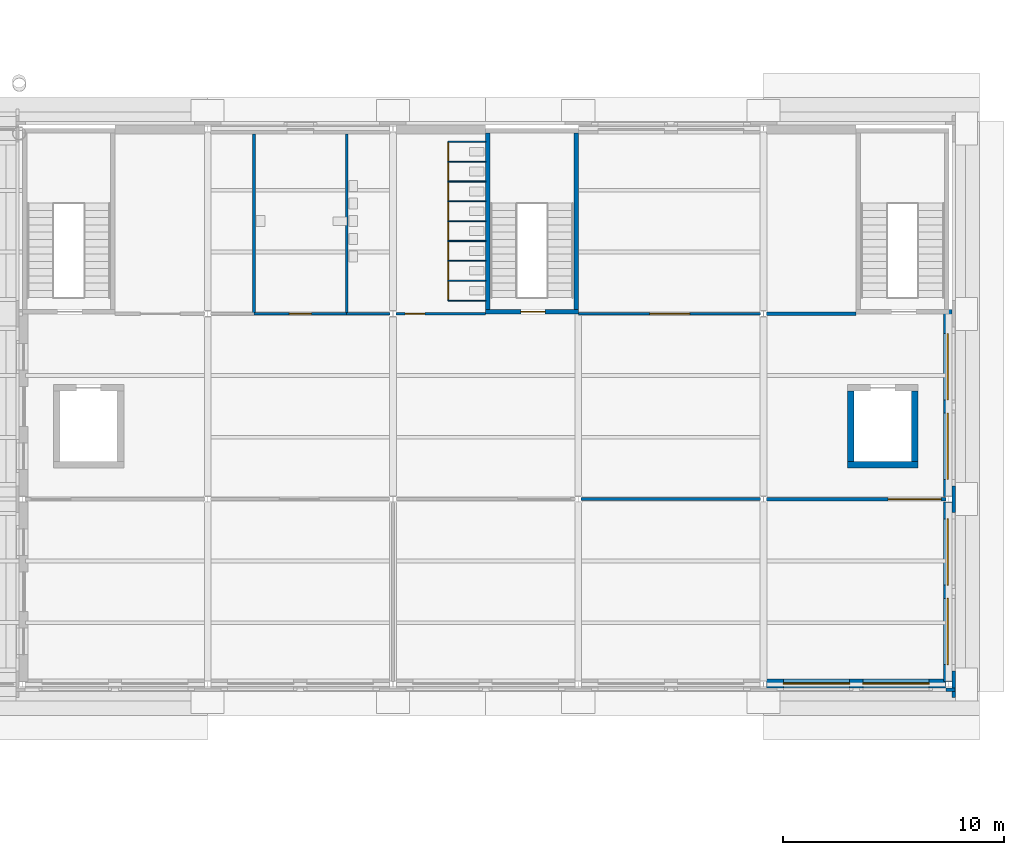
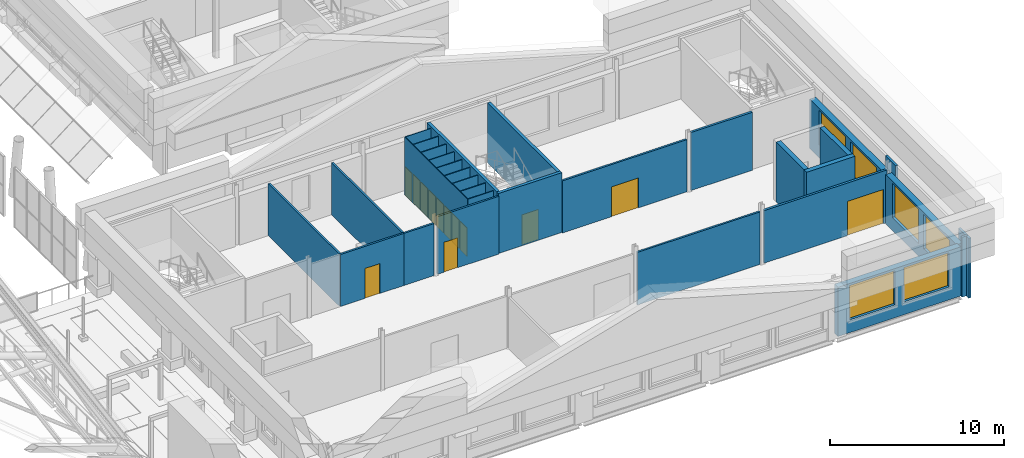
# One storey, part 44 of 76: 31 walls, 13 doors, 6 windows, 19 openings.
"""IFC4 building model written with IfcOpenShell, lengths in metres."""

from ifc_helpers import new_model, si_unit, direction, frame, frame_2d, origin, place, context, subcontext, project, spatial, rectangle, extrude, material, layer, layer_set, type_object, element, fill, save


model = new_model("IFC4")

# Units and contexts
model_context = context("Model", 3, precision=1e-05, world=origin(), true_north=direction((0.0, 1.0)))
body_context = subcontext(model_context, "Body", "Model", "MODEL_VIEW")
ifc_project = project(units=[si_unit("LENGTHUNIT", "METRE"), si_unit("AREAUNIT", "SQUARE_METRE"), si_unit("VOLUMEUNIT", "CUBIC_METRE"), si_unit("PLANEANGLEUNIT", "RADIAN"), si_unit("MASSUNIT", "GRAM", prefix="KILO")], contexts=[model_context])

# Site, building, storey
site_placement = place(None, origin())
site = spatial("IfcSite", under=ifc_project, at=site_placement, CompositionType="ELEMENT")
building_placement = place(site_placement, origin())
building = spatial("IfcBuilding", under=site, at=building_placement, Name="Sava Quay Ferry Terminal", CompositionType="ELEMENT")
storey_placement = place(building_placement, frame((0.0, 0.0, 10.800048828125)))
storey = spatial("IfcBuildingStorey", under=building, at=storey_placement, Name="L02", CompositionType="ELEMENT", Elevation=10.800048828125)

# Wall, openings, doors
ifc_material_1 = material(Name="High-pressure laminate panel")
ifc_layer_1 = layer(ifc_material_1, 0.050048828125)
ifc_layer_set_1 = layer_set([ifc_layer_1], Name="High-pressure laminate panel")
wall_type_1 = type_object("IfcWallType", Name="Cubicle partition 50", PredefinedType="PARTITIONING", material=ifc_layer_set_1)
wall_1_placement = place(storey_placement, frame((103.300048828125, 42.60009765625, 0.0), z_axis=(0.0, 0.0, 1.0), x_axis=(0.0, 1.0, 0.0)))
wall_1 = element("IfcWall", 1, at=wall_1_placement, inside=storey, type_object=wall_type_1, Name="Cubicle partition panel", PredefinedType="PARTITIONING", context=body_context, shape_type="SweptSolid", body=[
    extrude(rectangle(XDim=7.199951171875, YDim=0.050048828125, at=frame_2d((3.60009765625, 0.0))), origin(), (0.0, 0.0, 1.0), 4.050048828125),
])
opening_1_placement = place(wall_1_placement, frame((0.050048828125, 0.0, 0.0)))
opening_1 = element("IfcOpeningElement", 2, at=opening_1_placement, cuts=wall_1, Name="Opening CD073", PredefinedType="OPENING", context=body_context, shape_type="SweptSolid", body=[
    extrude(rectangle(XDim=0.800048828125, YDim=2.0, at=frame_2d((0.39990234375, 1.0))), frame((0.0, 0.02490234375, 0.0), z_axis=(0.0, -1.0, 0.0), x_axis=(1.0, 0.0, 0.0)), (0.0, 0.0, 1.0), 0.050048828125),
])
opening_2_placement = place(wall_1_placement, frame((0.949951171875, 0.0, 0.0)))
opening_2 = element("IfcOpeningElement", 3, at=opening_2_placement, cuts=wall_1, Name="Opening CD074", PredefinedType="OPENING", context=body_context, shape_type="SweptSolid", body=[
    extrude(rectangle(XDim=0.800048828125, YDim=2.0, at=frame_2d((0.39990234375, 1.0))), frame((0.0, 0.02490234375, 0.0), z_axis=(0.0, -1.0, 0.0), x_axis=(1.0, 0.0, 0.0)), (0.0, 0.0, 1.0), 0.050048828125),
])
opening_3_placement = place(wall_1_placement, frame((1.85009765625, 0.0, 0.0)))
opening_3 = element("IfcOpeningElement", 4, at=opening_3_placement, cuts=wall_1, Name="Opening CD075", PredefinedType="OPENING", context=body_context, shape_type="SweptSolid", body=[
    extrude(rectangle(XDim=0.800048828125, YDim=2.0, at=frame_2d((0.39990234375, 1.0))), frame((0.0, 0.02490234375, 0.0), z_axis=(0.0, -1.0, 0.0), x_axis=(1.0, 0.0, 0.0)), (0.0, 0.0, 1.0), 0.050048828125),
])
opening_4_placement = place(wall_1_placement, frame((2.75, 0.0, 0.0)))
opening_4 = element("IfcOpeningElement", 5, at=opening_4_placement, cuts=wall_1, Name="Opening CD076", PredefinedType="OPENING", context=body_context, shape_type="SweptSolid", body=[
    extrude(rectangle(XDim=0.800048828125, YDim=2.0, at=frame_2d((0.39990234375, 1.0))), frame((0.0, 0.02490234375, 0.0), z_axis=(0.0, -1.0, 0.0), x_axis=(1.0, 0.0, 0.0)), (0.0, 0.0, 1.0), 0.050048828125),
])
opening_5_placement = place(wall_1_placement, frame((3.64990234375, 0.0, 0.0)))
opening_5 = element("IfcOpeningElement", 6, at=opening_5_placement, cuts=wall_1, Name="Opening CD077", PredefinedType="OPENING", context=body_context, shape_type="SweptSolid", body=[
    extrude(rectangle(XDim=0.800048828125, YDim=2.0, at=frame_2d((0.39990234375, 1.0))), frame((0.0, 0.02490234375, 0.0), z_axis=(0.0, -1.0, 0.0), x_axis=(1.0, 0.0, 0.0)), (0.0, 0.0, 1.0), 0.050048828125),
])
opening_6_placement = place(wall_1_placement, frame((4.550048828125, 0.0, 0.0)))
opening_6 = element("IfcOpeningElement", 7, at=opening_6_placement, cuts=wall_1, Name="Opening CD078", PredefinedType="OPENING", context=body_context, shape_type="SweptSolid", body=[
    extrude(rectangle(XDim=0.800048828125, YDim=2.0, at=frame_2d((0.39990234375, 1.0))), frame((0.0, 0.02490234375, 0.0), z_axis=(0.0, -1.0, 0.0), x_axis=(1.0, 0.0, 0.0)), (0.0, 0.0, 1.0), 0.050048828125),
])
opening_7_placement = place(wall_1_placement, frame((5.449951171875, 0.0, 0.0)))
opening_7 = element("IfcOpeningElement", 8, at=opening_7_placement, cuts=wall_1, Name="Opening CD079", PredefinedType="OPENING", context=body_context, shape_type="SweptSolid", body=[
    extrude(rectangle(XDim=0.800048828125, YDim=2.0, at=frame_2d((0.39990234375, 1.0))), frame((0.0, 0.02490234375, 0.0), z_axis=(0.0, -1.0, 0.0), x_axis=(1.0, 0.0, 0.0)), (0.0, 0.0, 1.0), 0.050048828125),
])
opening_8_placement = place(wall_1_placement, frame((6.35009765625, 0.0, 0.0)))
opening_8 = element("IfcOpeningElement", 9, at=opening_8_placement, cuts=wall_1, Name="Opening CD080", PredefinedType="OPENING", context=body_context, shape_type="SweptSolid", body=[
    extrude(rectangle(XDim=0.800048828125, YDim=2.0, at=frame_2d((0.39990234375, 1.0))), frame((0.0, 0.02490234375, 0.0), z_axis=(0.0, -1.0, 0.0), x_axis=(1.0, 0.0, 0.0)), (0.0, 0.0, 1.0), 0.050048828125),
])
ifc_material_2 = material(Name="Laminate door set")
door_type_1 = type_object("IfcDoorType", Name="Cubicle door 800 x 2000", OperationType="NOTDEFINED", PredefinedType="DOOR", material=ifc_material_2)
door_1_placement = place(opening_1_placement, origin())
door_1 = element("IfcDoor", 10, at=door_1_placement, inside=storey, type_object=door_type_1, Name="Cubicle door", OperationType="SINGLE_SWING_RIGHT", OverallHeight=2.0, OverallWidth=0.800048828125, PredefinedType="DOOR", context=body_context, shape_type="SweptSolid", body=[
    extrude(rectangle(XDim=0.800048828125, YDim=2.0, at=frame_2d((0.39990234375, 1.0))), frame((0.0, 0.02490234375, 0.0), z_axis=(0.0, -1.0, 0.0), x_axis=(1.0, 0.0, 0.0)), (0.0, 0.0, 1.0), 0.049560546875),
])
fill(opening_1, door_1)
door_2_placement = place(opening_2_placement, origin())
door_2 = element("IfcDoor", 11, at=door_2_placement, inside=storey, type_object=door_type_1, Name="Cubicle door", OperationType="SINGLE_SWING_LEFT", OverallHeight=2.0, OverallWidth=0.800048828125, PredefinedType="DOOR", context=body_context, shape_type="SweptSolid", body=[
    extrude(rectangle(XDim=0.800048828125, YDim=2.0, at=frame_2d((0.39990234375, 1.0))), frame((0.0, 0.02490234375, 0.0), z_axis=(0.0, -1.0, 0.0), x_axis=(1.0, 0.0, 0.0)), (0.0, 0.0, 1.0), 0.049560546875),
])
fill(opening_2, door_2)
door_3_placement = place(opening_3_placement, origin())
door_3 = element("IfcDoor", 12, at=door_3_placement, inside=storey, type_object=door_type_1, Name="Cubicle door", OperationType="SINGLE_SWING_RIGHT", OverallHeight=2.0, OverallWidth=0.800048828125, PredefinedType="DOOR", context=body_context, shape_type="SweptSolid", body=[
    extrude(rectangle(XDim=0.800048828125, YDim=2.0, at=frame_2d((0.39990234375, 1.0))), frame((0.0, 0.02490234375, 0.0), z_axis=(0.0, -1.0, 0.0), x_axis=(1.0, 0.0, 0.0)), (0.0, 0.0, 1.0), 0.049560546875),
])
fill(opening_3, door_3)
door_4_placement = place(opening_4_placement, origin())
door_4 = element("IfcDoor", 13, at=door_4_placement, inside=storey, type_object=door_type_1, Name="Cubicle door", OperationType="SINGLE_SWING_LEFT", OverallHeight=2.0, OverallWidth=0.800048828125, PredefinedType="DOOR", context=body_context, shape_type="SweptSolid", body=[
    extrude(rectangle(XDim=0.800048828125, YDim=2.0, at=frame_2d((0.39990234375, 1.0))), frame((0.0, 0.02490234375, 0.0), z_axis=(0.0, -1.0, 0.0), x_axis=(1.0, 0.0, 0.0)), (0.0, 0.0, 1.0), 0.049560546875),
])
fill(opening_4, door_4)
door_5_placement = place(opening_5_placement, origin())
door_5 = element("IfcDoor", 14, at=door_5_placement, inside=storey, type_object=door_type_1, Name="Cubicle door", OperationType="SINGLE_SWING_RIGHT", OverallHeight=2.0, OverallWidth=0.800048828125, PredefinedType="DOOR", context=body_context, shape_type="SweptSolid", body=[
    extrude(rectangle(XDim=0.800048828125, YDim=2.0, at=frame_2d((0.39990234375, 1.0))), frame((0.0, 0.02490234375, 0.0), z_axis=(0.0, -1.0, 0.0), x_axis=(1.0, 0.0, 0.0)), (0.0, 0.0, 1.0), 0.049560546875),
])
fill(opening_5, door_5)
door_6_placement = place(opening_6_placement, origin())
door_6 = element("IfcDoor", 15, at=door_6_placement, inside=storey, type_object=door_type_1, Name="Cubicle door", OperationType="SINGLE_SWING_LEFT", OverallHeight=2.0, OverallWidth=0.800048828125, PredefinedType="DOOR", context=body_context, shape_type="SweptSolid", body=[
    extrude(rectangle(XDim=0.800048828125, YDim=2.0, at=frame_2d((0.39990234375, 1.0))), frame((0.0, 0.02490234375, 0.0), z_axis=(0.0, -1.0, 0.0), x_axis=(1.0, 0.0, 0.0)), (0.0, 0.0, 1.0), 0.049560546875),
])
fill(opening_6, door_6)
door_7_placement = place(opening_7_placement, origin())
door_7 = element("IfcDoor", 16, at=door_7_placement, inside=storey, type_object=door_type_1, Name="Cubicle door", OperationType="SINGLE_SWING_RIGHT", OverallHeight=2.0, OverallWidth=0.800048828125, PredefinedType="DOOR", context=body_context, shape_type="SweptSolid", body=[
    extrude(rectangle(XDim=0.800048828125, YDim=2.0, at=frame_2d((0.39990234375, 1.0))), frame((0.0, 0.02490234375, 0.0), z_axis=(0.0, -1.0, 0.0), x_axis=(1.0, 0.0, 0.0)), (0.0, 0.0, 1.0), 0.049560546875),
])
fill(opening_7, door_7)
door_8_placement = place(opening_8_placement, origin())
door_8 = element("IfcDoor", 17, at=door_8_placement, inside=storey, type_object=door_type_1, Name="Cubicle door", OperationType="SINGLE_SWING_LEFT", OverallHeight=2.0, OverallWidth=0.800048828125, PredefinedType="DOOR", context=body_context, shape_type="SweptSolid", body=[
    extrude(rectangle(XDim=0.800048828125, YDim=2.0, at=frame_2d((0.39990234375, 1.0))), frame((0.0, 0.02490234375, 0.0), z_axis=(0.0, -1.0, 0.0), x_axis=(1.0, 0.0, 0.0)), (0.0, 0.0, 1.0), 0.049560546875),
])
fill(opening_8, door_8)

# Walls
for number, where, z_axis, x_axis, name in (
    (18, (105.0, 42.60009765625, 0.0), (0.0, 0.0, 1.0), (-1.0, 0.0, 0.0), "Cubicle partition panel"),
    (19, (105.0, 43.5, 0.0), (0.0, 0.0, 1.0), (-1.0, 0.0, 0.0), "Cubicle partition panel"),
    (20, (105.0, 44.39990234375, 0.0), (0.0, 0.0, 1.0), (-1.0, 0.0, 0.0), "Cubicle partition panel"),
    (21, (105.0, 45.300048828125, 0.0), (0.0, 0.0, 1.0), (-1.0, 0.0, 0.0), "Cubicle partition panel"),
    (22, (105.0, 46.199951171875, 0.0), (0.0, 0.0, 1.0), (-1.0, 0.0, 0.0), "Cubicle partition panel"),
    (23, (105.0, 47.10009765625, 0.0), (0.0, 0.0, 1.0), (-1.0, 0.0, 0.0), "Cubicle partition panel"),
    (24, (105.0, 48.0, 0.0), (0.0, 0.0, 1.0), (-1.0, 0.0, 0.0), "Cubicle partition panel"),
    (25, (105.0, 48.89990234375, 0.0), (0.0, 0.0, 1.0), (-1.0, 0.0, 0.0), "Cubicle partition panel"),
    (26, (105.0, 49.800048828125, 0.0), (0.0, 0.0, 1.0), (-1.0, 0.0, 0.0), "Cubicle partition panel"),
):
    element("IfcWall", number, at=place(storey_placement, frame(where, z_axis=z_axis, x_axis=x_axis)), inside=storey, type_object=wall_type_1, Name=name, PredefinedType="PARTITIONING", context=body_context, shape_type="SweptSolid", body=[
        extrude(rectangle(XDim=1.699951171875, YDim=0.050048828125, at=frame_2d((0.85009765625, 0.0))), origin(), (0.0, 0.0, 1.0), 4.050048828125),
    ])
ifc_material_3 = material(Name="Limestone Mutalj", Category="masonry")
ifc_layer_2 = layer(ifc_material_3, 0.14990234375)
ifc_layer_set_2 = layer_set([ifc_layer_2], Name="Limestone Mutalj")
wall_type_2 = type_object("IfcWallType", Name="Pier cladding 150", PredefinedType="SOLIDWALL", material=ifc_layer_set_2)
for number, where, z_axis, x_axis, name in (
    (27, (126.22509765625, 24.60009765625, 0.0), (0.0, 0.0, 1.0), (0.0, 1.0, 0.0), "Pier P-E grid 25.2"),
    (28, (126.22509765625, 33.0, 0.0), (0.0, 0.0, 1.0), (0.0, 1.0, 0.0), "Pier P-E grid 33.6"),
):
    element("IfcWall", number, at=place(storey_placement, frame(where, z_axis=z_axis, x_axis=x_axis)), inside=storey, type_object=wall_type_2, Name=name, PredefinedType="SOLIDWALL", context=body_context, shape_type="SweptSolid", body=[
        extrude(rectangle(XDim=1.199951171875, YDim=0.14990234375, at=frame_2d((0.60009765625, 0.0))), origin(), (0.0, 0.0, 1.0), 4.199951171875),
    ])
wall_2_placement = place(storey_placement, frame((125.8701171875, 24.965087890625, 0.0), z_axis=(0.0, 0.0, 1.0), x_axis=(1.0, 0.0, 0.0)))
element("IfcWall", 29, at=wall_2_placement, inside=storey, type_object=wall_type_2, Name="Pier P-S grid 126", PredefinedType="SOLIDWALL", context=body_context, shape_type="SweptSolid", body=[
    extrude(rectangle(XDim=0.409912109375, YDim=0.14990234375, at=frame_2d((0.205078125, 0.0))), origin(), (0.0, 0.0, 1.0), 4.199951171875),
])

# Wall, opening, door
ifc_material_4 = material(Name="Masonry blockwork", Category="masonry")
ifc_layer_3 = layer(ifc_material_4, 0.14990234375)
ifc_layer_set_3 = layer_set([ifc_layer_3], Name="Masonry blockwork")
wall_type_3 = type_object("IfcWallType", Name="Plant, store and lobby wall, blockwork 150", PredefinedType="PARTITIONING", material=ifc_layer_set_3)
wall_3_placement = place(storey_placement, frame((117.72998046875, 33.60009765625, 0.0), z_axis=(0.0, 0.0, 1.0), x_axis=(1.0, 0.0, 0.0)))
wall_3 = element("IfcWall", 30, at=wall_3_placement, inside=storey, type_object=wall_type_3, Name="Plant, store and lobby wall, blockwork 150", PredefinedType="PARTITIONING", context=body_context, shape_type="SweptSolid", body=[
    extrude(rectangle(XDim=8.14013671875, YDim=0.14990234375, at=frame_2d((4.070068359375, 0.0))), origin(), (0.0, 0.0, 1.0), 3.68994140625),
])
opening_9_placement = place(wall_3_placement, frame((5.52001953125, 0.0, 0.0)))
opening_9 = element("IfcOpeningElement", 31, at=opening_9_placement, cuts=wall_3, Name="Opening D0214", PredefinedType="OPENING", context=body_context, shape_type="SweptSolid", body=[
    extrude(rectangle(XDim=2.39990234375, YDim=2.39990234375, at=frame_2d((1.199951171875, 1.199951171875))), frame((0.0, 0.074951171875, 0.0), z_axis=(0.0, -1.0, 0.0), x_axis=(1.0, 0.0, 0.0)), (0.0, 0.0, 1.0), 0.14990234375),
])
ifc_material_5 = material(Name="Timber door set", Category="wood")
door_type_2 = type_object("IfcDoorType", Name="Double door 2400 x 2400", OperationType="NOTDEFINED", PredefinedType="DOOR", material=ifc_material_5)
door_9_placement = place(opening_9_placement, origin())
door_9 = element("IfcDoor", 32, at=door_9_placement, inside=storey, type_object=door_type_2, Name="Door D0214", OperationType="DOUBLE_DOOR_DOUBLE_SWING", OverallHeight=2.39990234375, OverallWidth=2.39990234375, PredefinedType="DOOR", context=body_context, shape_type="SweptSolid", body=[
    extrude(rectangle(XDim=2.39990234375, YDim=2.39990234375, at=frame_2d((1.199951171875, 1.199951171875))), frame((0.0, 0.02490234375, 0.0), z_axis=(0.0, -1.0, 0.0), x_axis=(1.0, 0.0, 0.0)), (0.0, 0.0, 1.0), 0.050048828125),
])
fill(opening_9, door_9)

# Wall
wall_4_placement = place(storey_placement, frame((117.72998046875, 42.0, 0.0), z_axis=(0.0, 0.0, 1.0), x_axis=(1.0, 0.0, 0.0)))
element("IfcWall", 33, at=wall_4_placement, inside=storey, type_object=wall_type_3, Name="Plant, store and lobby wall, blockwork 150", PredefinedType="PARTITIONING", context=body_context, shape_type="SweptSolid", body=[
    extrude(rectangle(XDim=4.070068359375, YDim=0.14990234375, at=frame_2d((2.03515625, 0.0))), origin(), (0.0, 0.0, 1.0), 4.070068359375),
])

# Wall, opening, door
ifc_material_6 = material(Name="Concrete C35/45", Category="concrete")
ifc_layer_4 = layer(ifc_material_6, 0.199951171875)
ifc_layer_set_4 = layer_set([ifc_layer_4], Name="Concrete C35/45")
wall_type_4 = type_object("IfcWallType", Name="RC core wall 200", PredefinedType="SHEAR", material=ifc_layer_set_4)
wall_5_placement = place(storey_placement, frame((105.0, 42.10009765625, 0.0), z_axis=(0.0, 0.0, 1.0), x_axis=(1.0, 0.0, 0.0)))
wall_5 = element("IfcWall", 34, at=wall_5_placement, inside=storey, type_object=wall_type_4, Name="Core wall ST-P3 S L02", PredefinedType="SHEAR", context=body_context, shape_type="SweptSolid", body=[
    extrude(rectangle(XDim=4.199951171875, YDim=0.199951171875, at=frame_2d((2.10009765625, 0.0))), origin(), (0.0, 0.0, 1.0), 4.199951171875),
])
opening_10_placement = place(wall_5_placement, frame((1.60009765625, 0.0, 0.0)))
opening_10 = element("IfcOpeningElement", 35, at=opening_10_placement, cuts=wall_5, Name="Opening DS0207", PredefinedType="OPENING", context=body_context, shape_type="SweptSolid", body=[
    extrude(rectangle(XDim=1.10009765625, YDim=2.10009765625, at=frame_2d((0.550048828125, 1.050048828125))), frame((0.0, 0.10009765625, 0.0), z_axis=(0.0, -1.0, 0.0), x_axis=(1.0, 0.0, 0.0)), (0.0, 0.0, 1.0), 0.199951171875),
])
ifc_material_7 = material(Name="Steel fire door set", Category="steel")
door_type_3 = type_object("IfcDoorType", Name="Stair fire door 1100 x 2100", OperationType="NOTDEFINED", PredefinedType="DOOR", material=ifc_material_7)
door_10_placement = place(opening_10_placement, origin())
door_10 = element("IfcDoor", 36, at=door_10_placement, inside=storey, type_object=door_type_3, Name="Door DS0207", OperationType="SINGLE_SWING_RIGHT", OverallHeight=2.10009765625, OverallWidth=1.10009765625, PredefinedType="DOOR", context=body_context, shape_type="SweptSolid", body=[
    extrude(rectangle(XDim=1.10009765625, YDim=2.10009765625, at=frame_2d((0.550048828125, 1.050048828125))), frame((0.0, 0.02490234375, 0.0), z_axis=(0.0, -1.0, 0.0), x_axis=(1.0, 0.0, 0.0)), (0.0, 0.0, 1.0), 0.050048828125),
])
fill(opening_10, door_10)

# Walls
for number, where, z_axis, x_axis, name in (
    (37, (105.10009765625, 42.199951171875, 0.0), (0.0, 0.0, 1.0), (0.0, 1.0, 0.0), "Core wall ST-P3 W L02"),
    (38, (109.10009765625, 42.199951171875, 0.0), (0.0, 0.0, 1.0), (0.0, 1.0, 0.0), "Core wall ST-P3 E L02"),
):
    element("IfcWall", number, at=place(storey_placement, frame(where, z_axis=z_axis, x_axis=x_axis)), inside=storey, type_object=wall_type_4, Name=name, PredefinedType="SHEAR", context=body_context, shape_type="SweptSolid", body=[
        extrude(rectangle(XDim=8.0, YDim=0.199951171875, at=frame_2d((4.0, 0.0))), origin(), (0.0, 0.0, 1.0), 4.199951171875),
    ])
ifc_material_8 = material(Name="Concrete C35/45", Category="concrete")
ifc_layer_5 = layer(ifc_material_8, 0.300048828125)
ifc_layer_set_5 = layer_set([ifc_layer_5], Name="Concrete C35/45")
wall_type_5 = type_object("IfcWallType", Name="RC core wall 300", PredefinedType="SHEAR", material=ifc_layer_set_5)
wall_6_placement = place(storey_placement, frame((121.39990234375, 35.14990234375, 0.0), z_axis=(0.0, 0.0, 1.0), x_axis=(1.0, 0.0, 0.0)))
element("IfcWall", 39, at=wall_6_placement, inside=storey, type_object=wall_type_5, Name="Core wall LF-P2 S L02", PredefinedType="SHEAR", context=body_context, shape_type="SweptSolid", body=[
    extrude(rectangle(XDim=3.2001953125, YDim=0.300048828125, at=frame_2d((1.60009765625, 0.0))), origin(), (0.0, 0.0, 1.0), 4.199951171875),
])
for number, where, z_axis, x_axis, name in (
    (40, (121.550048828125, 35.300048828125, 0.0), (0.0, 0.0, 1.0), (0.0, 1.0, 0.0), "Core wall LF-P2 W L02"),
    (41, (124.449951171875, 35.300048828125, 0.0), (0.0, 0.0, 1.0), (0.0, 1.0, 0.0), "Core wall LF-P2 E L02"),
):
    element("IfcWall", number, at=place(storey_placement, frame(where, z_axis=z_axis, x_axis=x_axis)), inside=storey, type_object=wall_type_5, Name=name, PredefinedType="SHEAR", context=body_context, shape_type="SweptSolid", body=[
        extrude(rectangle(XDim=3.199951171875, YDim=0.300048828125, at=frame_2d((1.60009765625, 0.0))), origin(), (0.0, 0.0, 1.0), 4.199951171875),
    ])
ifc_material_9 = material(Name="Plasterboard on steel studs", Category="steel")
ifc_layer_6 = layer(ifc_material_9, 0.125)
ifc_layer_set_6 = layer_set([ifc_layer_6], Name="Plasterboard on steel studs")
wall_type_6 = type_object("IfcWallType", Name="Room partition, plasterboard on steel studs 125", PredefinedType="PARTITIONING", material=ifc_layer_set_6)
wall_7_placement = place(storey_placement, frame((109.330078125, 33.60009765625, 0.0), z_axis=(0.0, 0.0, 1.0), x_axis=(1.0, 0.0, 0.0)))
element("IfcWall", 42, at=wall_7_placement, inside=storey, type_object=wall_type_6, Name="Room partition, plasterboard on steel studs 125", PredefinedType="PARTITIONING", context=body_context, shape_type="SweptSolid", body=[
    extrude(rectangle(XDim=8.139892578125, YDim=0.125, at=frame_2d((4.06982421875, 0.0))), origin(), (0.0, 0.0, 1.0), 3.68994140625),
])

# Wall, opening, door
wall_8_placement = place(storey_placement, frame((109.199951171875, 42.0, 0.0), z_axis=(0.0, 0.0, 1.0), x_axis=(1.0, 0.0, 0.0)))
wall_8 = element("IfcWall", 43, at=wall_8_placement, inside=storey, type_object=wall_type_6, Name="Room partition, plasterboard on steel studs 125", PredefinedType="PARTITIONING", context=body_context, shape_type="SweptSolid", body=[
    extrude(rectangle(XDim=8.27001953125, YDim=0.125, at=frame_2d((4.135009765625, 0.0))), origin(), (0.0, 0.0, 1.0), 3.659912109375),
])
opening_11_placement = place(wall_8_placement, frame((3.25, 0.0, 0.0)))
opening_11 = element("IfcOpeningElement", 44, at=opening_11_placement, cuts=wall_8, Name="Opening D0218", PredefinedType="OPENING", context=body_context, shape_type="SweptSolid", body=[
    extrude(rectangle(XDim=1.800048828125, YDim=2.10009765625, at=frame_2d((0.89990234375, 1.050048828125))), frame((0.0, 0.0625, 0.0), z_axis=(0.0, -1.0, 0.0), x_axis=(1.0, 0.0, 0.0)), (0.0, 0.0, 1.0), 0.125),
])
ifc_material_10 = material(Name="Timber door set", Category="wood")
door_type_4 = type_object("IfcDoorType", Name="Double door 1800 x 2100", OperationType="NOTDEFINED", PredefinedType="DOOR", material=ifc_material_10)
door_11_placement = place(opening_11_placement, origin())
door_11 = element("IfcDoor", 45, at=door_11_placement, inside=storey, type_object=door_type_4, Name="Door D0218", OperationType="DOUBLE_DOOR_DOUBLE_SWING", OverallHeight=2.10009765625, OverallWidth=1.800048828125, PredefinedType="DOOR", context=body_context, shape_type="SweptSolid", body=[
    extrude(rectangle(XDim=1.800048828125, YDim=2.10009765625, at=frame_2d((0.89990234375, 1.050048828125))), frame((0.0, 0.02490234375, 0.0), z_axis=(0.0, -1.0, 0.0), x_axis=(1.0, 0.0, 0.0)), (0.0, 0.0, 1.0), 0.050048828125),
])
fill(opening_11, door_11)

# Wall, openings, windows
ifc_material_11 = material(Name="Sandstone Bela Voda", Category="masonry")
ifc_layer_7 = layer(ifc_material_11, 0.39990234375)
ifc_layer_set_7 = layer_set([ifc_layer_7], Name="Sandstone Bela Voda")
wall_type_7 = type_object("IfcWallType", Name="Sandstone ashlar infill 400", PredefinedType="SOLIDWALL", material=ifc_layer_set_7)
wall_9_placement = place(storey_placement, frame((125.949951171875, 25.330078125, 0.0), z_axis=(0.0, 0.0, 1.0), x_axis=(0.0, 1.0, 0.0)))
wall_9 = element("IfcWall", 46, at=wall_9_placement, inside=storey, type_object=wall_type_7, Name="External wall P-E", PredefinedType="SOLIDWALL", context=body_context, shape_type="SweptSolid", body=[
    extrude(rectangle(XDim=8.139892578125, YDim=0.39990234375, at=frame_2d((4.06982421875, 0.0))), origin(), (0.0, 0.0, 1.0), 3.449951171875),
])
opening_12_placement = place(wall_9_placement, frame((0.77001953125, 0.0, 0.89990234375)))
opening_12 = element("IfcOpeningElement", 47, at=opening_12_placement, cuts=wall_9, Name="Opening W-C", PredefinedType="OPENING", context=body_context, shape_type="SweptSolid", body=[
    extrude(rectangle(XDim=3.0, YDim=2.39990234375, at=frame_2d((1.5, 1.199951171875))), frame((0.0, 0.199951171875, 0.0), z_axis=(0.0, -1.0, 0.0), x_axis=(1.0, 0.0, 0.0)), (0.0, 0.0, 1.0), 0.39990234375),
])
opening_13_placement = place(wall_9_placement, frame((4.3701171875, 0.0, 0.89990234375)))
opening_13 = element("IfcOpeningElement", 48, at=opening_13_placement, cuts=wall_9, Name="Opening W-C", PredefinedType="OPENING", context=body_context, shape_type="SweptSolid", body=[
    extrude(rectangle(XDim=3.0, YDim=2.39990234375, at=frame_2d((1.5, 1.199951171875))), frame((0.0, 0.199951171875, 0.0), z_axis=(0.0, -1.0, 0.0), x_axis=(1.0, 0.0, 0.0)), (0.0, 0.0, 1.0), 0.39990234375),
])
ifc_material_12 = material(Name="Aluminium bronze anodised frame, glazing double low-e Ug 1.1", Category="aluminium")
window_type = type_object("IfcWindowType", Name="Attic-storey window 3000x2400", PartitioningType="SINGLE_PANEL", PredefinedType="WINDOW", material=ifc_material_12)
window_1_placement = place(opening_12_placement, origin())
window_1 = element("IfcWindow", 49, at=window_1_placement, inside=storey, type_object=window_type, Name="Window W-C", OverallHeight=2.39990234375, OverallWidth=3.0, PartitioningType="SINGLE_PANEL", PredefinedType="WINDOW", context=body_context, shape_type="SweptSolid", body=[
    extrude(rectangle(XDim=3.0, YDim=2.39990234375, at=frame_2d((1.5, 1.199951171875))), frame((0.0, 0.030029296875, 0.0), z_axis=(0.0, -1.0, 0.0), x_axis=(1.0, 0.0, 0.0)), (0.0, 0.0, 1.0), 0.06005859375),
])
fill(opening_12, window_1)
window_2_placement = place(opening_13_placement, origin())
window_2 = element("IfcWindow", 50, at=window_2_placement, inside=storey, type_object=window_type, Name="Window W-C", OverallHeight=2.39990234375, OverallWidth=3.0, PartitioningType="SINGLE_PANEL", PredefinedType="WINDOW", context=body_context, shape_type="SweptSolid", body=[
    extrude(rectangle(XDim=3.0, YDim=2.39990234375, at=frame_2d((1.5, 1.199951171875))), frame((0.0, 0.030029296875, 0.0), z_axis=(0.0, -1.0, 0.0), x_axis=(1.0, 0.0, 0.0)), (0.0, 0.0, 1.0), 0.06005859375),
])
fill(opening_13, window_2)

wall_10_placement = place(storey_placement, frame((125.949951171875, 33.72998046875, 0.0), z_axis=(0.0, 0.0, 1.0), x_axis=(0.0, 1.0, 0.0)))
wall_10 = element("IfcWall", 51, at=wall_10_placement, inside=storey, type_object=wall_type_7, Name="External wall P-E", PredefinedType="SOLIDWALL", context=body_context, shape_type="SweptSolid", body=[
    extrude(rectangle(XDim=8.469970703125, YDim=0.39990234375, at=frame_2d((4.23486328125, 0.0))), origin(), (0.0, 0.0, 1.0), 3.449951171875),
])
opening_14_placement = place(wall_10_placement, frame((0.77001953125, 0.0, 0.89990234375)))
opening_14 = element("IfcOpeningElement", 52, at=opening_14_placement, cuts=wall_10, Name="Opening W-C", PredefinedType="OPENING", context=body_context, shape_type="SweptSolid", body=[
    extrude(rectangle(XDim=3.0, YDim=2.39990234375, at=frame_2d((1.5, 1.199951171875))), frame((0.0, 0.199951171875, 0.0), z_axis=(0.0, -1.0, 0.0), x_axis=(1.0, 0.0, 0.0)), (0.0, 0.0, 1.0), 0.39990234375),
])
opening_15_placement = place(wall_10_placement, frame((4.3701171875, 0.0, 0.89990234375)))
opening_15 = element("IfcOpeningElement", 53, at=opening_15_placement, cuts=wall_10, Name="Opening W-C", PredefinedType="OPENING", context=body_context, shape_type="SweptSolid", body=[
    extrude(rectangle(XDim=3.0, YDim=2.39990234375, at=frame_2d((1.5, 1.199951171875))), frame((0.0, 0.199951171875, 0.0), z_axis=(0.0, -1.0, 0.0), x_axis=(1.0, 0.0, 0.0)), (0.0, 0.0, 1.0), 0.39990234375),
])
window_3_placement = place(opening_14_placement, origin())
window_3 = element("IfcWindow", 54, at=window_3_placement, inside=storey, type_object=window_type, Name="Window W-C", OverallHeight=2.39990234375, OverallWidth=3.0, PartitioningType="SINGLE_PANEL", PredefinedType="WINDOW", context=body_context, shape_type="SweptSolid", body=[
    extrude(rectangle(XDim=3.0, YDim=2.39990234375, at=frame_2d((1.5, 1.199951171875))), frame((0.0, 0.030029296875, 0.0), z_axis=(0.0, -1.0, 0.0), x_axis=(1.0, 0.0, 0.0)), (0.0, 0.0, 1.0), 0.06005859375),
])
fill(opening_14, window_3)
window_4_placement = place(opening_15_placement, origin())
window_4 = element("IfcWindow", 55, at=window_4_placement, inside=storey, type_object=window_type, Name="Window W-C", OverallHeight=2.39990234375, OverallWidth=3.0, PartitioningType="SINGLE_PANEL", PredefinedType="WINDOW", context=body_context, shape_type="SweptSolid", body=[
    extrude(rectangle(XDim=3.0, YDim=2.39990234375, at=frame_2d((1.5, 1.199951171875))), frame((0.0, 0.030029296875, 0.0), z_axis=(0.0, -1.0, 0.0), x_axis=(1.0, 0.0, 0.0)), (0.0, 0.0, 1.0), 0.06005859375),
])
fill(opening_15, window_4)

wall_11_placement = place(storey_placement, frame((117.72998046875, 25.239990234375, 0.0), z_axis=(0.0, 0.0, 1.0), x_axis=(1.0, 0.0, 0.0)))
wall_11 = element("IfcWall", 56, at=wall_11_placement, inside=storey, type_object=wall_type_7, Name="External wall P-S", PredefinedType="SOLIDWALL", context=body_context, shape_type="SweptSolid", body=[
    extrude(rectangle(XDim=8.14013671875, YDim=0.39990234375, at=frame_2d((4.070068359375, 0.0))), origin(), (0.0, 0.0, 1.0), 3.449951171875),
])
opening_16_placement = place(wall_11_placement, frame((0.77001953125, 0.0, 0.89990234375)))
opening_16 = element("IfcOpeningElement", 57, at=opening_16_placement, cuts=wall_11, Name="Opening W-C", PredefinedType="OPENING", context=body_context, shape_type="SweptSolid", body=[
    extrude(rectangle(XDim=3.0, YDim=2.39990234375, at=frame_2d((1.5, 1.199951171875))), frame((0.0, 0.199951171875, 0.0), z_axis=(0.0, -1.0, 0.0), x_axis=(1.0, 0.0, 0.0)), (0.0, 0.0, 1.0), 0.39990234375),
])
opening_17_placement = place(wall_11_placement, frame((4.3701171875, 0.0, 0.89990234375)))
opening_17 = element("IfcOpeningElement", 58, at=opening_17_placement, cuts=wall_11, Name="Opening W-C", PredefinedType="OPENING", context=body_context, shape_type="SweptSolid", body=[
    extrude(rectangle(XDim=3.0, YDim=2.39990234375, at=frame_2d((1.5, 1.199951171875))), frame((0.0, 0.199951171875, 0.0), z_axis=(0.0, -1.0, 0.0), x_axis=(1.0, 0.0, 0.0)), (0.0, 0.0, 1.0), 0.39990234375),
])
window_5_placement = place(opening_16_placement, origin())
window_5 = element("IfcWindow", 59, at=window_5_placement, inside=storey, type_object=window_type, Name="Window W-C", OverallHeight=2.39990234375, OverallWidth=3.0, PartitioningType="SINGLE_PANEL", PredefinedType="WINDOW", context=body_context, shape_type="SweptSolid", body=[
    extrude(rectangle(XDim=3.0, YDim=2.39990234375, at=frame_2d((1.5, 1.199951171875))), frame((0.0, 0.030029296875, 0.0), z_axis=(0.0, -1.0, 0.0), x_axis=(1.0, 0.0, 0.0)), (0.0, 0.0, 1.0), 0.06005859375),
])
fill(opening_16, window_5)
window_6_placement = place(opening_17_placement, origin())
window_6 = element("IfcWindow", 60, at=window_6_placement, inside=storey, type_object=window_type, Name="Window W-C", OverallHeight=2.39990234375, OverallWidth=3.0, PartitioningType="SINGLE_PANEL", PredefinedType="WINDOW", context=body_context, shape_type="SweptSolid", body=[
    extrude(rectangle(XDim=3.0, YDim=2.39990234375, at=frame_2d((1.5, 1.199951171875))), frame((0.0, 0.030029296875, 0.0), z_axis=(0.0, -1.0, 0.0), x_axis=(1.0, 0.0, 0.0)), (0.0, 0.0, 1.0), 0.06005859375),
])
fill(opening_17, window_6)

# Wall, opening, door
ifc_material_13 = material(Name="Moisture-resistant board on steel studs", Category="steel")
ifc_layer_8 = layer(ifc_material_13, 0.125)
ifc_layer_set_8 = layer_set([ifc_layer_8], Name="Moisture-resistant board on steel studs")
wall_type_8 = type_object("IfcWallType", Name="Toilet partition, moisture-resistant board 125", PredefinedType="PARTITIONING", material=ifc_layer_set_8)
wall_12_placement = place(storey_placement, frame((94.5, 42.0, 0.0), z_axis=(0.0, 0.0, 1.0), x_axis=(1.0, 0.0, 0.0)))
wall_12 = element("IfcWall", 61, at=wall_12_placement, inside=storey, type_object=wall_type_8, Name="Toilet partition, moisture-resistant board 125", PredefinedType="PARTITIONING", context=body_context, shape_type="SweptSolid", body=[
    extrude(rectangle(XDim=4.199951171875, YDim=0.125, at=frame_2d((2.10009765625, 0.0))), origin(), (0.0, 0.0, 1.0), 3.64990234375),
])
opening_18_placement = place(wall_12_placement, frame((1.60009765625, 0.0, 0.0)))
opening_18 = element("IfcOpeningElement", 62, at=opening_18_placement, cuts=wall_12, Name="Opening D0216", PredefinedType="OPENING", context=body_context, shape_type="SweptSolid", body=[
    extrude(rectangle(XDim=1.0, YDim=2.10009765625, at=frame_2d((0.5, 1.050048828125))), frame((0.0, 0.0625, 0.0), z_axis=(0.0, -1.0, 0.0), x_axis=(1.0, 0.0, 0.0)), (0.0, 0.0, 1.0), 0.125),
])
ifc_material_14 = material(Name="Laminate door set")
door_type_5 = type_object("IfcDoorType", Name="Accessible toilet door 1000 x 2100", OperationType="NOTDEFINED", PredefinedType="DOOR", material=ifc_material_14)
door_12_placement = place(opening_18_placement, origin())
door_12 = element("IfcDoor", 63, at=door_12_placement, inside=storey, type_object=door_type_5, Name="Door D0216", OperationType="SINGLE_SWING_LEFT", OverallHeight=2.10009765625, OverallWidth=1.0, PredefinedType="DOOR", context=body_context, shape_type="SweptSolid", body=[
    extrude(rectangle(XDim=1.0, YDim=2.10009765625, at=frame_2d((0.5, 1.050048828125))), frame((0.0, 0.02490234375, 0.0), z_axis=(0.0, -1.0, 0.0), x_axis=(1.0, 0.0, 0.0)), (0.0, 0.0, 1.0), 0.050048828125),
])
fill(opening_18, door_12)

# Wall
wall_13_placement = place(storey_placement, frame((98.699951171875, 42.0, 0.0), z_axis=(0.0, 0.0, 1.0), x_axis=(1.0, 0.0, 0.0)))
element("IfcWall", 64, at=wall_13_placement, inside=storey, type_object=wall_type_8, Name="Toilet partition, moisture-resistant board 125", PredefinedType="PARTITIONING", context=body_context, shape_type="SweptSolid", body=[
    extrude(rectangle(XDim=1.969970703125, YDim=0.125, at=frame_2d((0.98486328125, 0.0))), origin(), (0.0, 0.0, 1.0), 3.64990234375),
])

# Wall, opening, door
wall_14_placement = place(storey_placement, frame((100.929931640625, 42.0, 0.0), z_axis=(0.0, 0.0, 1.0), x_axis=(1.0, 0.0, 0.0)))
wall_14 = element("IfcWall", 65, at=wall_14_placement, inside=storey, type_object=wall_type_8, Name="Toilet partition, moisture-resistant board 125", PredefinedType="PARTITIONING", context=body_context, shape_type="SweptSolid", body=[
    extrude(rectangle(XDim=4.070068359375, YDim=0.125, at=frame_2d((2.03515625, 0.0))), origin(), (0.0, 0.0, 1.0), 4.050048828125),
])
opening_19_placement = place(wall_14_placement, frame((0.419921875, 0.0, 0.0)))
opening_19 = element("IfcOpeningElement", 66, at=opening_19_placement, cuts=wall_14, Name="Opening D0217", PredefinedType="OPENING", context=body_context, shape_type="SweptSolid", body=[
    extrude(rectangle(XDim=0.89990234375, YDim=2.10009765625, at=frame_2d((0.449951171875, 1.050048828125))), frame((0.0, 0.0625, 0.0), z_axis=(0.0, -1.0, 0.0), x_axis=(1.0, 0.0, 0.0)), (0.0, 0.0, 1.0), 0.125),
])
ifc_material_15 = material(Name="Laminate door set")
door_type_6 = type_object("IfcDoorType", Name="Toilet door 900 x 2100", OperationType="NOTDEFINED", PredefinedType="DOOR", material=ifc_material_15)
door_13_placement = place(opening_19_placement, origin())
door_13 = element("IfcDoor", 67, at=door_13_placement, inside=storey, type_object=door_type_6, Name="Door D0217", OperationType="SINGLE_SWING_LEFT", OverallHeight=2.10009765625, OverallWidth=0.89990234375, PredefinedType="DOOR", context=body_context, shape_type="SweptSolid", body=[
    extrude(rectangle(XDim=0.89990234375, YDim=2.10009765625, at=frame_2d((0.449951171875, 1.050048828125))), frame((0.0, 0.02490234375, 0.0), z_axis=(0.0, -1.0, 0.0), x_axis=(1.0, 0.0, 0.0)), (0.0, 0.0, 1.0), 0.050048828125),
])
fill(opening_19, door_13)

# Walls
for number, where, z_axis, x_axis, name in (
    (68, (94.5, 42.0, 0.0), (0.0, 0.0, 1.0), (0.0, 1.0, 0.0), "Toilet partition, moisture-resistant board 125"),
    (69, (98.699951171875, 42.0, 0.0), (0.0, 0.0, 1.0), (0.0, 1.0, 0.0), "Toilet partition, moisture-resistant board 125"),
):
    element("IfcWall", number, at=place(storey_placement, frame(where, z_axis=z_axis, x_axis=x_axis)), inside=storey, type_object=wall_type_8, Name=name, PredefinedType="PARTITIONING", context=body_context, shape_type="SweptSolid", body=[
        extrude(rectangle(XDim=8.159423828125, YDim=0.125, at=frame_2d((4.07958984375, 0.0))), origin(), (0.0, 0.0, 1.0), 3.64990234375),
    ])

save(model, "model.ifc")
